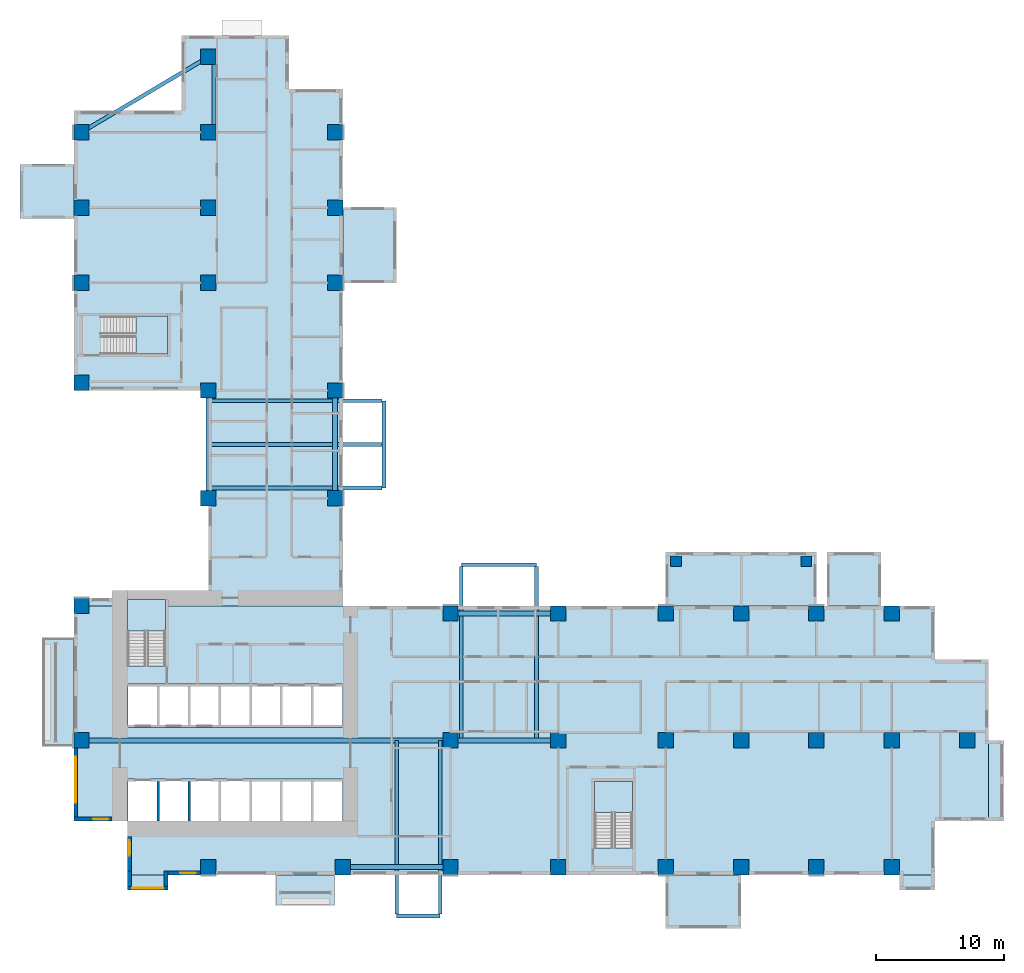
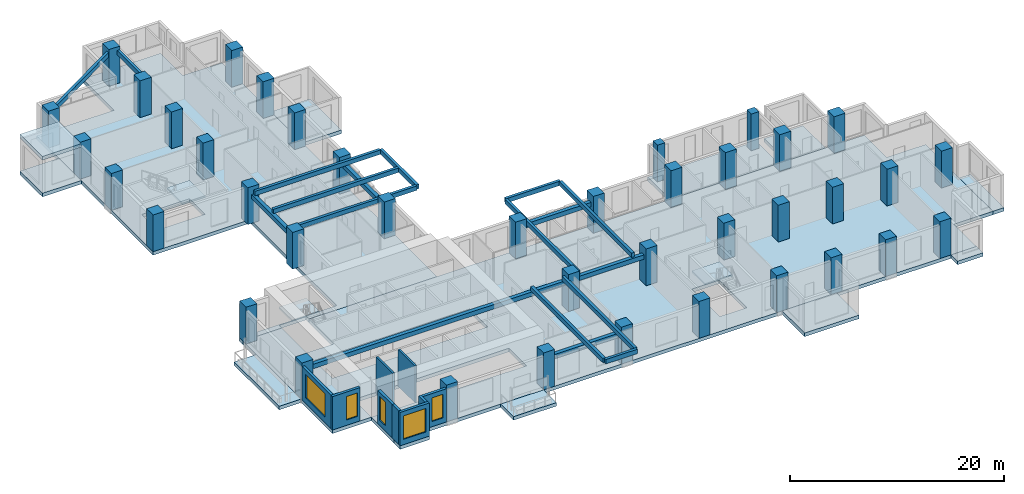
# One storey, part 1 of 15: 40 columns, 16 beams, 16 slabs, 9 walls, 5 windows, 2 members, 5 openings, 3 elements without a shape of their own.
"""IFC4 building model written with IfcOpenShell, lengths in metres."""

from ifc_helpers import new_model, si_unit, direction, frame, frame_2d, origin, origin_2d, place, context, subcontext, project, spatial, polyline, rectangle, outline, extrude, source, transform, mapped, material, layer, layer_set, material_profile, profile_set, type_object, element, fill, aggregate, save


model = new_model("IFC4")

# Units and contexts
model_context = context("Model", 3, precision=1e-05, world=origin(), true_north=direction((0.0, 1.0)))
body_context = subcontext(model_context, "Body", "Model", "MODEL_VIEW")
ifc_project = project(units=[si_unit("LENGTHUNIT", "METRE"), si_unit("AREAUNIT", "SQUARE_METRE"), si_unit("VOLUMEUNIT", "CUBIC_METRE"), si_unit("PLANEANGLEUNIT", "RADIAN"), si_unit("MASSUNIT", "GRAM", prefix="KILO")], contexts=[model_context])

# Site, building, storey
site_placement = place(None, origin())
site = spatial("IfcSite", under=ifc_project, at=site_placement, CompositionType="ELEMENT")
building_placement = place(site_placement, origin())
building = spatial("IfcBuilding", under=site, at=building_placement, Name="Aurelian Terraces", CompositionType="ELEMENT")
storey_placement = place(building_placement, frame((0.0, 0.0, 74.1)))
storey = spatial("IfcBuildingStorey", under=building, at=storey_placement, Name="L15", CompositionType="ELEMENT", Elevation=74.1)

# Columns
ifc_material_1 = material(Name="Concrete fc' 83 MPa", Category="concrete")
ifc_material_profile_1 = material_profile(ifc_material_1, rectangle(XDim=1.2, YDim=1.2, at=origin_2d()))
ifc_profile_set_1 = profile_set([ifc_material_profile_1], Name="Concrete fc' 83 MPa")
column_type_1 = type_object("IfcColumnType", Name="RC COLUMN 1200X1200 FC83", PredefinedType="COLUMN", material=ifc_profile_set_1)
shared_shape_1 = source(origin(), body_context, "Body", "SweptSolid", [
    extrude(rectangle(XDim=1.2, YDim=1.2, at=origin_2d()), origin(), (0.0, 0.0, 1.0), 4.2),
])
for number, where, z_axis, x_axis, name in (
    (1, (10.5, 0.6, 0.0), (0.0, 0.0, 1.0), (1.0, 0.0, 0.0), "Column 2/A L15"),
    (2, (21.0, 0.6, 0.0), (0.0, 0.0, 1.0), (1.0, 0.0, 0.0), "Column 3/A L15"),
    (3, (29.4, 0.6, 0.0), (0.0, 0.0, 1.0), (1.0, 0.0, 0.0), "Column 4/A L15"),
    (4, (37.8, 0.6, 0.0), (0.0, 0.0, 1.0), (1.0, 0.0, 0.0), "Column 5/A L15"),
    (5, (46.2, 0.6, 0.0), (0.0, 0.0, 1.0), (1.0, 0.0, 0.0), "Column 6/A L15"),
    (6, (52.08, 0.6, 0.0), (0.0, 0.0, 1.0), (1.0, 0.0, 0.0), "Column 7/A L15"),
    (7, (57.96, 0.6, 0.0), (0.0, 0.0, 1.0), (1.0, 0.0, 0.0), "Column 8/A L15"),
    (8, (63.84, 0.6, 0.0), (0.0, 0.0, 1.0), (1.0, 0.0, 0.0), "Column 9/A L15"),
    (9, (0.6, 10.5, 0.0), (0.0, 0.0, 1.0), (1.0, 0.0, 0.0), "Column 1/B L15"),
    (10, (29.4, 10.5, 0.0), (0.0, 0.0, 1.0), (1.0, 0.0, 0.0), "Column 4/B L15"),
    (11, (37.8, 10.5, 0.0), (0.0, 0.0, 1.0), (1.0, 0.0, 0.0), "Column 5/B L15"),
    (12, (46.2, 10.5, 0.0), (0.0, 0.0, 1.0), (1.0, 0.0, 0.0), "Column 6/B L15"),
    (13, (52.08, 10.5, 0.0), (0.0, 0.0, 1.0), (1.0, 0.0, 0.0), "Column 7/B L15"),
    (14, (57.96, 10.5, 0.0), (0.0, 0.0, 1.0), (1.0, 0.0, 0.0), "Column 8/B L15"),
    (15, (63.84, 10.5, 0.0), (0.0, 0.0, 1.0), (1.0, 0.0, 0.0), "Column 9/B L15"),
    (16, (69.72, 10.5, 0.0), (0.0, 0.0, 1.0), (1.0, 0.0, 0.0), "Column 10/B L15"),
    (17, (0.6, 21.0, 0.0), (0.0, 0.0, 1.0), (1.0, 0.0, 0.0), "Column 1/C L15"),
    (18, (29.4, 20.4, 0.0), (0.0, 0.0, 1.0), (1.0, 0.0, 0.0), "Column 4/C L15"),
    (19, (37.8, 20.4, 0.0), (0.0, 0.0, 1.0), (1.0, 0.0, 0.0), "Column 5/C L15"),
    (20, (46.2, 20.4, 0.0), (0.0, 0.0, 1.0), (1.0, 0.0, 0.0), "Column 6/C L15"),
    (21, (52.08, 20.4, 0.0), (0.0, 0.0, 1.0), (1.0, 0.0, 0.0), "Column 7/C L15"),
    (22, (57.96, 20.4, 0.0), (0.0, 0.0, 1.0), (1.0, 0.0, 0.0), "Column 8/C L15"),
    (23, (63.84, 20.4, 0.0), (0.0, 0.0, 1.0), (1.0, 0.0, 0.0), "Column 9/C L15"),
    (24, (10.5, 29.4, 0.0), (0.0, 0.0, 1.0), (1.0, 0.0, 0.0), "Column 2/D L15"),
    (25, (20.4, 29.4, 0.0), (0.0, 0.0, 1.0), (1.0, 0.0, 0.0), "Column 3/D L15"),
    (26, (0.6, 38.4, 0.0), (0.0, 0.0, 1.0), (1.0, 0.0, 0.0), "Column 1/E L15"),
    (27, (10.5, 37.8, 0.0), (0.0, 0.0, 1.0), (1.0, 0.0, 0.0), "Column 2/E L15"),
    (28, (20.4, 37.8, 0.0), (0.0, 0.0, 1.0), (1.0, 0.0, 0.0), "Column 3/E L15"),
    (29, (0.6, 46.2, 0.0), (0.0, 0.0, 1.0), (1.0, 0.0, 0.0), "Column 1/F L15"),
    (30, (10.5, 46.2, 0.0), (0.0, 0.0, 1.0), (1.0, 0.0, 0.0), "Column 2/F L15"),
    (31, (20.4, 46.2, 0.0), (0.0, 0.0, 1.0), (1.0, 0.0, 0.0), "Column 3/F L15"),
    (32, (0.6, 52.08, 0.0), (0.0, 0.0, 1.0), (1.0, 0.0, 0.0), "Column 1/G L15"),
    (33, (10.5, 52.08, 0.0), (0.0, 0.0, 1.0), (1.0, 0.0, 0.0), "Column 2/G L15"),
    (34, (20.4, 52.08, 0.0), (0.0, 0.0, 1.0), (1.0, 0.0, 0.0), "Column 3/G L15"),
    (35, (0.6, 57.96, 0.0), (0.0, 0.0, 1.0), (1.0, 0.0, 0.0), "Column 1/H L15"),
    (36, (10.5, 57.96, 0.0), (0.0, 0.0, 1.0), (1.0, 0.0, 0.0), "Column 2/H L15"),
    (37, (20.4, 57.96, 0.0), (0.0, 0.0, 1.0), (1.0, 0.0, 0.0), "Column 3/H L15"),
    (38, (10.5, 63.84, 0.0), (0.0, 0.0, 1.0), (1.0, 0.0, 0.0), "Column 2/I L15"),
):
    element("IfcColumn", number, at=place(storey_placement, frame(where, z_axis=z_axis, x_axis=x_axis)), inside=storey, type_object=column_type_1, Name=name, PredefinedType="COLUMN", context=body_context, shape_type="MappedRepresentation", body=[
        mapped(shared_shape_1, transform((0.0, 0.0, 0.0), scale=1.0)),
    ])
ifc_material_2 = material(Name="Concrete fc' 55 MPa", Category="concrete")
ifc_material_profile_2 = material_profile(ifc_material_2, rectangle(XDim=0.84, YDim=0.84, at=origin_2d()))
ifc_profile_set_2 = profile_set([ifc_material_profile_2], Name="Concrete fc' 55 MPa")
column_type_2 = type_object("IfcColumnType", Name="BLOCK CORNER PIER 840X840", PredefinedType="COLUMN", material=ifc_profile_set_2)
shared_shape_2 = source(origin(), body_context, "Body", "SweptSolid", [
    extrude(rectangle(XDim=0.84, YDim=0.84, at=origin_2d()), origin(), (0.0, 0.0, 1.0), 4.2),
])
for number, where, z_axis, x_axis, name in (
    (39, (47.0, 24.48, 0.0), (0.0, 0.0, 1.0), (1.0, 0.0, 0.0), "Block pier K01.1 L15"),
    (40, (57.16, 24.48, 0.0), (0.0, 0.0, 1.0), (1.0, 0.0, 0.0), "Block pier K01.2 L15"),
):
    element("IfcColumn", number, at=place(storey_placement, frame(where, z_axis=z_axis, x_axis=x_axis)), inside=storey, type_object=column_type_2, Name=name, PredefinedType="COLUMN", context=body_context, shape_type="MappedRepresentation", body=[
        mapped(shared_shape_2, transform((0.0, 0.0, 0.0), scale=1.0)),
    ])

# Members
ifc_material_3 = material(Name="Concrete fc' 40 MPa", Category="concrete")
ifc_material_profile_3 = material_profile(ifc_material_3, rectangle(XDim=0.3, YDim=0.5, at=origin_2d()))
ifc_profile_set_3 = profile_set([ifc_material_profile_3], Name="Concrete fc' 40 MPa")
member_type = type_object("IfcMemberType", Name="CONCRETE EDGE BEAM 300X500", PredefinedType="MEMBER", material=ifc_profile_set_3)
member_1_placement = place(storey_placement, frame((10.95, 63.24, 3.55), z_axis=(0.0, -1.0, 0.0), x_axis=(1.0, 0.0, 0.0)))
element("IfcMember", 41, at=member_1_placement, inside=storey, type_object=member_type, Name="Terrace edge member L16-X1", PredefinedType="MEMBER", context=body_context, shape_type="SweptSolid", body=[
    extrude(rectangle(XDim=0.3, YDim=0.5, at=origin_2d()), origin(), (0.0, 0.0, 1.0), 4.68),
])
member_2_placement = place(storey_placement, frame((9.9841, 63.5336, 3.55), z_axis=(-0.859782116287, -0.510661054431, 0.0), x_axis=(0.510661054431, -0.859782116287, 0.0)))
element("IfcMember", 42, at=member_2_placement, inside=storey, type_object=member_type, Name="Terrace edge member L16-X1.2", PredefinedType="MEMBER", context=body_context, shape_type="SweptSolid", body=[
    extrude(rectangle(XDim=0.3, YDim=0.5, at=origin_2d()), origin(), (0.0, 0.0, 1.0), 10.3145),
])

# Beams
ifc_material_profile_4 = material_profile(ifc_material_3, rectangle(XDim=0.3, YDim=0.5, at=origin_2d()))
ifc_profile_set_4 = profile_set([ifc_material_profile_4], Name="Concrete fc' 40 MPa")
beam_type_1 = type_object("IfcBeamType", Name="CONCRETE CANTILEVER BEAM 300X500", PredefinedType="BEAM", material=ifc_profile_set_4)
shared_shape_3 = source(origin(), body_context, "Body", "SweptSolid", [
    extrude(rectangle(XDim=0.3, YDim=0.5, at=origin_2d()), origin(), (0.0, 0.0, 1.0), 13.55),
])
for number, where, z_axis, x_axis, name in (
    (43, (25.2, -3.05, 3.55), (0.0, 1.0, 0.0), (-1.0, 0.0, 0.0), "Box cantilever beam J19.1"),
    (44, (28.6, -3.05, 3.55), (0.0, 1.0, 0.0), (-1.0, 0.0, 0.0), "Box cantilever beam J19.2"),
    (45, (30.24, 24.05, 3.55), (0.0, -1.0, 0.0), (1.0, 0.0, 0.0), "Box cantilever beam J20.1"),
    (46, (36.12, 24.05, 3.55), (0.0, -1.0, 0.0), (1.0, 0.0, 0.0), "Box cantilever beam J20.2"),
    (47, (24.05, 30.2, 3.55), (-1.0, 0.0, 0.0), (0.0, -1.0, 0.0), "Box cantilever beam J21.1"),
    (48, (24.05, 37.0, 3.55), (-1.0, 0.0, 0.0), (0.0, -1.0, 0.0), "Box cantilever beam J21.2"),
    (49, (24.05, 33.6, 3.55), (-1.0, 0.0, 0.0), (0.0, -1.0, 0.0), "Box cantilever beam J21.m1"),
):
    element("IfcBeam", number, at=place(storey_placement, frame(where, z_axis=z_axis, x_axis=x_axis)), inside=storey, type_object=beam_type_1, Name=name, PredefinedType="BEAM", context=body_context, shape_type="MappedRepresentation", body=[
        mapped(shared_shape_3, transform((0.0, 0.0, 0.0), scale=1.0)),
    ])
ifc_material_profile_5 = material_profile(ifc_material_3, rectangle(XDim=0.4, YDim=0.5, at=origin_2d()))
ifc_profile_set_5 = profile_set([ifc_material_profile_5], Name="Concrete fc' 40 MPa")
beam_type_2 = type_object("IfcBeamType", Name="CONCRETE EDGE GIRDER 400X500", PredefinedType="BEAM", material=ifc_profile_set_5)
shared_shape_4 = source(origin(), body_context, "Body", "SweptSolid", [
    extrude(rectangle(XDim=0.4, YDim=0.5, at=origin_2d()), origin(), (0.0, 0.0, 1.0), 7.2),
])
for number, where, z_axis, x_axis, name in (
    (50, (21.6, 0.6, 3.05), (1.0, 0.0, 0.0), (0.0, 1.0, 0.0), "Box girder L15 O41"),
    (51, (30.0, 20.4, 3.05), (1.0, 0.0, 0.0), (0.0, 1.0, 0.0), "Box girder L15 O43"),
    (52, (30.0, 10.5, 3.05), (1.0, 0.0, 0.0), (0.0, 1.0, 0.0), "Box girder L15 I44"),
    (53, (20.4, 30.0, 3.05), (0.0, 1.0, 0.0), (-1.0, 0.0, 0.0), "Box girder L15 O45"),
    (54, (10.5, 30.0, 3.05), (0.0, 1.0, 0.0), (-1.0, 0.0, 0.0), "Box girder L15 I46"),
):
    element("IfcBeam", number, at=place(storey_placement, frame(where, z_axis=z_axis, x_axis=x_axis)), inside=storey, type_object=beam_type_2, Name=name, PredefinedType="BEAM", context=body_context, shape_type="MappedRepresentation", body=[
        mapped(shared_shape_4, transform((0.0, 0.0, 0.0), scale=1.0)),
    ])
shared_shape_5 = source(origin(), body_context, "Body", "SweptSolid", [
    extrude(rectangle(XDim=0.4, YDim=0.5, at=origin_2d()), origin(), (0.0, 0.0, 1.0), 27.6),
])
beam_1_placement = place(storey_placement, frame((1.2, 10.5, 3.05), z_axis=(1.0, 0.0, 0.0), x_axis=(0.0, 1.0, 0.0)))
element("IfcBeam", 55, at=beam_1_placement, inside=storey, type_object=beam_type_2, Name="Box girder L15 I42", PredefinedType="BEAM", context=body_context, shape_type="MappedRepresentation", body=[
    mapped(shared_shape_5, transform((0.0, 0.0, 0.0), scale=1.0)),
])
shared_shape_6 = source(origin(), body_context, "Body", "SweptSolid", [
    extrude(rectangle(XDim=0.3, YDim=0.5, at=origin_2d()), origin(), (0.0, 0.0, 1.0), 3.4),
])
beam_2_placement = place(storey_placement, frame((25.2, -3.2, 3.55), z_axis=(1.0, 0.0, 0.0), x_axis=(0.0, 1.0, 0.0)))
element("IfcBeam", 56, at=beam_2_placement, inside=storey, type_object=beam_type_1, Name="Box tip beam J19", PredefinedType="BEAM", context=body_context, shape_type="MappedRepresentation", body=[
    mapped(shared_shape_6, transform((0.0, 0.0, 0.0), scale=1.0)),
])
shared_shape_7 = source(origin(), body_context, "Body", "SweptSolid", [
    extrude(rectangle(XDim=0.3, YDim=0.5, at=origin_2d()), origin(), (0.0, 0.0, 1.0), 5.88),
])
beam_3_placement = place(storey_placement, frame((30.24, 24.2, 3.55), z_axis=(1.0, 0.0, 0.0), x_axis=(0.0, 1.0, 0.0)))
element("IfcBeam", 57, at=beam_3_placement, inside=storey, type_object=beam_type_1, Name="Box tip beam J20", PredefinedType="BEAM", context=body_context, shape_type="MappedRepresentation", body=[
    mapped(shared_shape_7, transform((0.0, 0.0, 0.0), scale=1.0)),
])
shared_shape_8 = source(origin(), body_context, "Body", "SweptSolid", [
    extrude(rectangle(XDim=0.3, YDim=0.5, at=origin_2d()), origin(), (0.0, 0.0, 1.0), 6.8),
])
beam_4_placement = place(storey_placement, frame((24.2, 30.2, 3.55), z_axis=(0.0, 1.0, 0.0), x_axis=(-1.0, 0.0, 0.0)))
element("IfcBeam", 58, at=beam_4_placement, inside=storey, type_object=beam_type_1, Name="Box tip beam J21", PredefinedType="BEAM", context=body_context, shape_type="MappedRepresentation", body=[
    mapped(shared_shape_8, transform((0.0, 0.0, 0.0), scale=1.0)),
])

# Slabs
ifc_layer_1 = layer(ifc_material_3, 0.4)
ifc_layer_set_1 = layer_set([ifc_layer_1], Name="Balcony slab 400")
slab_type_1 = type_object("IfcSlabType", Name="Balcony slab 400", PredefinedType="NOTDEFINED", material=ifc_layer_set_1)
slab_1_placement = place(storey_placement, frame((0.0, 0.0, -0.4)))
element("IfcSlab", 59, at=slab_1_placement, inside=storey, type_object=slab_type_1, Name="Balcony slab L15 F18.39", PredefinedType="NOTDEFINED", context=body_context, shape_type="SweptSolid", body=[
    extrude(outline(polyline([(0.0, 18.45), (0.0, 10.05), (-2.4, 10.05), (-2.4, 18.45), (0.0, 18.45)])), origin(), (0.0, 0.0, 1.0), 0.4),
])
ifc_layer_2 = layer(ifc_material_3, 0.41)
ifc_layer_set_2 = layer_set([ifc_layer_2], Name="Box floor 410")
slab_type_2 = type_object("IfcSlabType", Name="Box floor 410", PredefinedType="NOTDEFINED", material=ifc_layer_set_2)
slab_2_placement = place(storey_placement, frame((0.0, 0.0, -0.41)))
element("IfcSlab", 60, at=slab_2_placement, inside=storey, type_object=slab_type_2, Name="Box floor L15 J17", PredefinedType="NOTDEFINED", context=body_context, shape_type="SweptSolid", body=[
    extrude(outline(polyline([(63.0, 25.2), (58.8, 25.2), (58.8, 21.0), (63.0, 21.0), (63.0, 25.2)])), origin(), (0.0, 0.0, 1.0), 0.41),
])
ifc_layer_3 = layer(ifc_material_3, 0.4)
ifc_layer_set_3 = layer_set([ifc_layer_3], Name="Box roof 400")
slab_type_3 = type_object("IfcSlabType", Name="Box roof 400", PredefinedType="ROOF", material=ifc_layer_set_3)
slab_3_placement = place(storey_placement, frame((0.0, 0.0, 3.8)))
element("IfcSlab", 61, at=slab_3_placement, inside=storey, type_object=slab_type_3, Name="Box roof J15", PredefinedType="ROOF", context=body_context, shape_type="SweptSolid", body=[
    extrude(outline(polyline([(-4.2, 55.44), (-4.2, 51.24), (0.0, 51.24), (0.0, 55.44), (-4.2, 55.44)])), origin(), (0.0, 0.0, 1.0), 0.4),
])
ifc_layer_4 = layer(ifc_material_3, 0.4)
ifc_layer_set_4 = layer_set([ifc_layer_4], Name="PT FLAT PLATE 400")
slab_type_4 = type_object("IfcSlabType", Name="PT FLAT PLATE 400", PredefinedType="FLOOR", material=ifc_layer_set_4)
shared_shape_9 = source(origin(), body_context, "Body", "SweptSolid", [
    extrude(outline(polyline([(71.4, 16.8), (71.4, 4.2), (67.2, 4.2), (67.2, 0.0), (21.0, 0.0), (4.2, 0.0), (4.2, 4.2), (0.0, 4.2), (0.0, 21.0), (4.21, 21.0), (4.21, 16.31), (7.14, 16.31), (7.14, 21.0), (21.0, 21.0), (67.2, 21.0), (67.2, 16.8), (71.4, 16.8)]), holes=[polyline([(40.66, 2.11), (43.59, 2.11), (43.59, 7.29), (40.66, 7.29), (40.66, 2.11)]), polyline([(4.21, 7.49), (4.21, 4.21), (20.99, 4.21), (20.99, 7.49), (4.21, 7.49)]), polyline([(4.21, 14.89), (4.21, 11.51), (20.99, 11.51), (20.99, 14.89), (4.21, 14.89)])]), origin(), (0.0, 0.0, 1.0), 0.4),
])
slab_4_placement = place(storey_placement, frame((0.0, 0.0, -0.4)))
element("IfcSlab", 62, at=slab_4_placement, inside=storey, type_object=slab_type_4, Name="Floor slab S L15", PredefinedType="FLOOR", context=body_context, shape_type="MappedRepresentation", body=[
    mapped(shared_shape_9, transform((0.0, 0.0, 0.0), scale=1.0)),
])
shared_shape_10 = source(origin(), body_context, "Body", "SweptSolid", [
    extrude(outline(polyline([(10.5, 21.6), (10.5, 37.8), (0.0, 37.8), (0.0, 59.64), (8.4, 59.64), (8.4, 65.52), (16.8, 65.52), (16.8, 61.32), (21.0, 61.32), (21.0, 21.0), (7.14, 21.0), (7.14, 21.49), (4.21, 21.49), (4.21, 21.0), (0.0, 21.0), (0.0, 21.6), (10.5, 21.6)]), holes=[polyline([(7.29, 43.59), (2.11, 43.59), (2.11, 40.66), (7.29, 40.66), (7.29, 43.59)])]), origin(), (0.0, 0.0, 1.0), 0.4),
])
slab_5_placement = place(storey_placement, frame((0.0, 0.0, -0.4)))
element("IfcSlab", 63, at=slab_5_placement, inside=storey, type_object=slab_type_4, Name="Floor slab W L15", PredefinedType="FLOOR", context=body_context, shape_type="MappedRepresentation", body=[
    mapped(shared_shape_10, transform((0.0, 0.0, 0.0), scale=1.0)),
])
shared_shape_11 = source(origin(), body_context, "Body", "SweptSolid", [
    extrude(outline(polyline([(46.2, -4.2), (52.08, -4.2), (52.08, 0.0), (46.2, 0.0), (46.2, -4.2)])), origin(), (0.0, 0.0, 1.0), 0.41),
])
slab_6_placement = place(storey_placement, frame((0.0, 0.0, -0.41)))
element("IfcSlab", 64, at=slab_6_placement, inside=storey, type_object=slab_type_2, Name="Box floor L15 J16", PredefinedType="NOTDEFINED", context=body_context, shape_type="MappedRepresentation", body=[
    mapped(shared_shape_11, transform((0.0, 0.0, 0.0), scale=1.0)),
])
shared_shape_12 = source(origin(), body_context, "Body", "SweptSolid", [
    extrude(outline(polyline([(25.2, 46.2), (25.2, 52.08), (21.0, 52.08), (21.0, 46.2), (25.2, 46.2)])), origin(), (0.0, 0.0, 1.0), 0.41),
])
slab_7_placement = place(storey_placement, frame((0.0, 0.0, -0.41)))
element("IfcSlab", 65, at=slab_7_placement, inside=storey, type_object=slab_type_2, Name="Box floor L15 J18", PredefinedType="NOTDEFINED", context=body_context, shape_type="MappedRepresentation", body=[
    mapped(shared_shape_12, transform((0.0, 0.0, 0.0), scale=1.0)),
])
shared_shape_13 = source(origin(), body_context, "Body", "SweptSolid", [
    extrude(outline(polyline([(57.96, 25.2), (46.2, 25.2), (46.2, 21.0), (57.96, 21.0), (57.96, 25.2)])), origin(), (0.0, 0.0, 1.0), 0.41),
])
slab_8_placement = place(storey_placement, frame((0.0, 0.0, -0.41)))
element("IfcSlab", 66, at=slab_8_placement, inside=storey, type_object=slab_type_2, Name="Box floor L15 K01", PredefinedType="NOTDEFINED", context=body_context, shape_type="MappedRepresentation", body=[
    mapped(shared_shape_13, transform((0.0, 0.0, 0.0), scale=1.0)),
])
ifc_layer_5 = layer(ifc_material_3, 0.4)
ifc_layer_set_5 = layer_set([ifc_layer_5], Name="Bay floor 400")
slab_type_5 = type_object("IfcSlabType", Name="Bay floor 400", PredefinedType="NOTDEFINED", material=ifc_layer_set_5)
shared_shape_14 = source(origin(), body_context, "Body", "SweptSolid", [
    extrude(outline(polyline([(4.2, 0.0), (7.35, 0.0), (7.35, -1.2), (4.2, -1.2), (4.2, 0.0)])), origin(), (0.0, 0.0, 1.0), 0.4),
])
slab_9_placement = place(storey_placement, frame((0.0, 0.0, -0.4)))
element("IfcSlab", 67, at=slab_9_placement, inside=storey, type_object=slab_type_5, Name="Bay floor L15 F01.1", PredefinedType="NOTDEFINED", context=body_context, shape_type="MappedRepresentation", body=[
    mapped(shared_shape_14, transform((0.0, 0.0, 0.0), scale=1.0)),
])
shared_shape_15 = source(origin(), body_context, "Body", "SweptSolid", [
    extrude(outline(polyline([(64.44, 0.0), (67.2, 0.0), (67.2, -1.2), (64.44, -1.2), (64.44, 0.0)])), origin(), (0.0, 0.0, 1.0), 0.4),
])
slab_10_placement = place(storey_placement, frame((0.0, 0.0, -0.4)))
element("IfcSlab", 68, at=slab_10_placement, inside=storey, type_object=slab_type_5, Name="Bay floor L15 F01.11", PredefinedType="NOTDEFINED", context=body_context, shape_type="MappedRepresentation", body=[
    mapped(shared_shape_15, transform((0.0, 0.0, 0.0), scale=1.0)),
])
shared_shape_16 = source(origin(), body_context, "Body", "SweptSolid", [
    extrude(outline(polyline([(71.4, 4.2), (71.4, 10.5), (72.6, 10.5), (72.6, 4.2), (71.4, 4.2)])), origin(), (0.0, 0.0, 1.0), 0.4),
])
slab_11_placement = place(storey_placement, frame((0.0, 0.0, -0.4)))
element("IfcSlab", 69, at=slab_11_placement, inside=storey, type_object=slab_type_5, Name="Bay floor L15 F04.15", PredefinedType="NOTDEFINED", context=body_context, shape_type="MappedRepresentation", body=[
    mapped(shared_shape_16, transform((0.0, 0.0, 0.0), scale=1.0)),
])
shared_shape_17 = source(origin(), body_context, "Body", "SweptSolid", [
    extrude(outline(polyline([(15.75, 0.0), (20.4, 0.0), (20.4, -2.4), (15.75, -2.4), (15.75, 0.0)])), origin(), (0.0, 0.0, 1.0), 0.4),
])
slab_12_placement = place(storey_placement, frame((0.0, 0.0, -0.4)))
element("IfcSlab", 70, at=slab_12_placement, inside=storey, type_object=slab_type_1, Name="Balcony slab L15 F01.4", PredefinedType="NOTDEFINED", context=body_context, shape_type="MappedRepresentation", body=[
    mapped(shared_shape_17, transform((0.0, 0.0, 0.0), scale=1.0)),
])
shared_shape_18 = source(origin(), body_context, "Body", "SweptSolid", [
    extrude(outline(polyline([(-4.2, 55.44), (-4.2, 51.24), (0.0, 51.24), (0.0, 55.44), (-4.2, 55.44)])), origin(), (0.0, 0.0, 1.0), 0.41),
])
slab_13_placement = place(storey_placement, frame((0.0, 0.0, -0.41)))
element("IfcSlab", 71, at=slab_13_placement, inside=storey, type_object=slab_type_2, Name="Box floor L15 J15", PredefinedType="NOTDEFINED", context=body_context, shape_type="MappedRepresentation", body=[
    mapped(shared_shape_18, transform((0.0, 0.0, 0.0), scale=1.0)),
])

# Stair, slab
stair_type = type_object("IfcStairType", Name="Stair 1400", PredefinedType="HALF_TURN_STAIR", material=ifc_material_3)
stair_1_placement = place(storey_placement, origin())
stair_1 = element("IfcStair", 72, at=stair_1_placement, inside=storey, type_object=stair_type, Name="L15 S1", PredefinedType="HALF_TURN_STAIR")
ifc_layer_6 = layer(ifc_material_3, 0.2)
ifc_layer_set_6 = layer_set([ifc_layer_6], Name="Stair landing 200")
slab_type_6 = type_object("IfcSlabType", Name="Stair landing 200", PredefinedType="LANDING", material=ifc_layer_set_6)
shared_shape_19 = source(origin(), body_context, "Body", "SweptSolid", [
    extrude(outline(polyline([(7.15, 19.05), (7.15, 21.5), (4.2, 21.5), (4.2, 19.05), (7.15, 19.05)])), origin(), (0.0, 0.0, 1.0), 0.2),
])
slab_14_placement = place(storey_placement, frame((0.0, 0.0, 1.9)))
slab_14 = element("IfcSlab", 73, at=slab_14_placement, type_object=slab_type_6, Name="S1 landing 1", PredefinedType="LANDING", context=body_context, shape_type="MappedRepresentation", body=[
    mapped(shared_shape_19, transform((0.0, 0.0, 0.0), scale=1.0)),
])
aggregate(stair_1, [slab_14])

stair_2_placement = place(storey_placement, origin())
stair_2 = element("IfcStair", 74, at=stair_2_placement, inside=storey, type_object=stair_type, Name="L15 S2", PredefinedType="HALF_TURN_STAIR")
shared_shape_20 = source(origin(), body_context, "Body", "SweptSolid", [
    extrude(outline(polyline([(43.6, 4.85), (43.6, 7.3), (40.65, 7.3), (40.65, 4.85), (43.6, 4.85)])), origin(), (0.0, 0.0, 1.0), 0.2),
])
slab_15_placement = place(storey_placement, frame((0.0, 0.0, 1.9)))
slab_15 = element("IfcSlab", 75, at=slab_15_placement, type_object=slab_type_6, Name="S2 landing 1", PredefinedType="LANDING", context=body_context, shape_type="MappedRepresentation", body=[
    mapped(shared_shape_20, transform((0.0, 0.0, 0.0), scale=1.0)),
])
aggregate(stair_2, [slab_15])

stair_3_placement = place(storey_placement, origin())
stair_3 = element("IfcStair", 76, at=stair_3_placement, inside=storey, type_object=stair_type, Name="L15 S3", PredefinedType="HALF_TURN_STAIR")
shared_shape_21 = source(origin(), body_context, "Body", "SweptSolid", [
    extrude(outline(polyline([(4.85, 40.65), (7.3, 40.65), (7.3, 43.6), (4.85, 43.6), (4.85, 40.65)])), origin(), (0.0, 0.0, 1.0), 0.2),
])
slab_16_placement = place(storey_placement, frame((0.0, 0.0, 1.9)))
slab_16 = element("IfcSlab", 77, at=slab_16_placement, type_object=slab_type_6, Name="S3 landing 1", PredefinedType="LANDING", context=body_context, shape_type="MappedRepresentation", body=[
    mapped(shared_shape_21, transform((0.0, 0.0, 0.0), scale=1.0)),
])
aggregate(stair_3, [slab_16])

# Wall, opening, window
ifc_material_4 = material(Name="Terracotta rainscreen cladding", Category="masonry")
ifc_layer_7 = layer(ifc_material_4, 0.3)
ifc_layer_set_7 = layer_set([ifc_layer_7], Name="EW-300")
wall_type_1 = type_object("IfcWallType", Name="EW-300", PredefinedType="STANDARD", material=ifc_layer_set_7)
wall_1_placement = place(storey_placement, frame((0.15, 9.9, 0.0), z_axis=(0.0, 0.0, 1.0), x_axis=(0.0, -1.0, 0.0)))
wall_1 = element("IfcWall", 78, at=wall_1_placement, inside=storey, type_object=wall_type_1, Name="External wall L15 F18.40", PredefinedType="STANDARD", context=body_context, shape_type="SweptSolid", body=[
    extrude(rectangle(XDim=5.7, YDim=0.3, at=frame_2d((2.85, 0.0))), origin(), (0.0, 0.0, 1.0), 3.8),
])
shared_shape_22 = source(origin(), body_context, "Body", "SweptSolid", [
    extrude(rectangle(XDim=3.6, YDim=2.7, at=frame_2d((1.8, 1.35))), frame((0.0, 0.16, 0.0), z_axis=(0.0, -1.0, 0.0), x_axis=(1.0, 0.0, 0.0)), (0.0, 0.0, 1.0), 0.32),
])
opening_1_placement = place(wall_1_placement, frame((0.675, 0.0, 0.6)))
opening_1 = element("IfcOpeningElement", 79, at=opening_1_placement, cuts=wall_1, Name="Opening W3627", PredefinedType="OPENING", context=body_context, shape_type="MappedRepresentation", body=[
    mapped(shared_shape_22, transform((0.0, 0.0, 0.0), scale=1.0)),
])
ifc_material_5 = material(Name="Clear glazing", Category="glass")
window_type_1 = type_object("IfcWindowType", Name="W-3600x2700", PartitioningType="SINGLE_PANEL", PredefinedType="WINDOW", material=ifc_material_5)
shared_shape_23 = source(origin(), body_context, "Body", "SweptSolid", [
    extrude(rectangle(XDim=3.6, YDim=2.7, at=frame_2d((1.8, 1.35))), frame((0.0, 0.03, 0.0), z_axis=(0.0, -1.0, 0.0), x_axis=(1.0, 0.0, 0.0)), (0.0, 0.0, 1.0), 0.06),
])
window_1_placement = place(opening_1_placement, origin())
window_1 = element("IfcWindow", 80, at=window_1_placement, inside=storey, type_object=window_type_1, Name="Window L15 L15-F18-40-0", OverallHeight=2.7, OverallWidth=3.6, PartitioningType="SINGLE_PANEL", PredefinedType="WINDOW", context=body_context, shape_type="MappedRepresentation", body=[
    mapped(shared_shape_23, transform((0.0, 0.0, 0.0), scale=1.0)),
])
fill(opening_1, window_1)

shared_shape_24 = source(origin(), body_context, "Body", "SweptSolid", [
    extrude(rectangle(XDim=3.15, YDim=0.3, at=frame_2d((1.575, 0.0))), origin(), (0.0, 0.0, 1.0), 3.8),
])
wall_2_placement = place(storey_placement, frame((4.2, -1.05, 0.0), z_axis=(0.0, 0.0, 1.0), x_axis=(1.0, 0.0, 0.0)))
wall_2 = element("IfcWall", 81, at=wall_2_placement, inside=storey, type_object=wall_type_1, Name="Bay wall L15 F01.1", PredefinedType="STANDARD", context=body_context, shape_type="MappedRepresentation", body=[
    mapped(shared_shape_24, transform((0.0, 0.0, 0.0), scale=1.0)),
])
shared_shape_25 = source(origin(), body_context, "Body", "SweptSolid", [
    extrude(rectangle(XDim=2.4, YDim=2.7, at=frame_2d((1.2, 1.35))), frame((0.0, 0.16, 0.0), z_axis=(0.0, -1.0, 0.0), x_axis=(1.0, 0.0, 0.0)), (0.0, 0.0, 1.0), 0.32),
])
opening_2_placement = place(wall_2_placement, frame((0.375, 0.0, 0.6)))
opening_2 = element("IfcOpeningElement", 82, at=opening_2_placement, cuts=wall_2, Name="Opening W2427", PredefinedType="OPENING", context=body_context, shape_type="MappedRepresentation", body=[
    mapped(shared_shape_25, transform((0.0, 0.0, 0.0), scale=1.0)),
])
window_type_2 = type_object("IfcWindowType", Name="W-2400x2700", PartitioningType="SINGLE_PANEL", PredefinedType="WINDOW", material=ifc_material_5)
shared_shape_26 = source(origin(), body_context, "Body", "SweptSolid", [
    extrude(rectangle(XDim=2.4, YDim=2.7, at=frame_2d((1.2, 1.35))), frame((0.0, 0.03, 0.0), z_axis=(0.0, -1.0, 0.0), x_axis=(1.0, 0.0, 0.0)), (0.0, 0.0, 1.0), 0.06),
])
window_2_placement = place(opening_2_placement, origin())
window_2 = element("IfcWindow", 83, at=window_2_placement, inside=storey, type_object=window_type_2, Name="Window L15 L15-F01-01-0", OverallHeight=2.7, OverallWidth=2.4, PartitioningType="SINGLE_PANEL", PredefinedType="WINDOW", context=body_context, shape_type="MappedRepresentation", body=[
    mapped(shared_shape_26, transform((0.0, 0.0, 0.0), scale=1.0)),
])
fill(opening_2, window_2)

# Walls
shared_shape_27 = source(origin(), body_context, "Body", "SweptSolid", [
    extrude(rectangle(XDim=1.2, YDim=0.3, at=frame_2d((0.6, 0.0))), origin(), (0.0, 0.0, 1.0), 3.8),
])
for number, where, z_axis, x_axis, name in (
    (84, (4.35, 0.3, 0.0), (0.0, 0.0, 1.0), (0.0, -1.0, 0.0), "Bay return L15 F01.1.1"),
    (85, (7.2, 0.3, 0.0), (0.0, 0.0, 1.0), (0.0, -1.0, 0.0), "Bay return L15 F01.1.2"),
):
    element("IfcWall", number, at=place(storey_placement, frame(where, z_axis=z_axis, x_axis=x_axis)), inside=storey, type_object=wall_type_1, Name=name, PredefinedType="STANDARD", context=body_context, shape_type="MappedRepresentation", body=[
        mapped(shared_shape_27, transform((0.0, 0.0, 0.0), scale=1.0)),
    ])

# Wall, opening, window
shared_shape_28 = source(origin(), body_context, "Body", "SweptSolid", [
    extrude(rectangle(XDim=3.0, YDim=0.3, at=frame_2d((1.5, 0.0))), origin(), (0.0, 0.0, 1.0), 3.8),
])
wall_3_placement = place(storey_placement, frame((0.0, 4.35, 0.0), z_axis=(0.0, 0.0, 1.0), x_axis=(1.0, 0.0, 0.0)))
wall_3 = element("IfcWall", 86, at=wall_3_placement, inside=storey, type_object=wall_type_1, Name="External wall L15 F19.41", PredefinedType="STANDARD", context=body_context, shape_type="MappedRepresentation", body=[
    mapped(shared_shape_28, transform((0.0, 0.0, 0.0), scale=1.0)),
])
shared_shape_29 = source(origin(), body_context, "Body", "SweptSolid", [
    extrude(rectangle(XDim=1.2, YDim=2.7, at=frame_2d((0.6, 1.35))), frame((0.0, 0.16, 0.0), z_axis=(0.0, -1.0, 0.0), x_axis=(1.0, 0.0, 0.0)), (0.0, 0.0, 1.0), 0.32),
])
opening_3_placement = place(wall_3_placement, frame((1.5, 0.0, 0.6)))
opening_3 = element("IfcOpeningElement", 87, at=opening_3_placement, cuts=wall_3, Name="Opening W1227", PredefinedType="OPENING", context=body_context, shape_type="MappedRepresentation", body=[
    mapped(shared_shape_29, transform((0.0, 0.0, 0.0), scale=1.0)),
])
window_type_3 = type_object("IfcWindowType", Name="W-1200x2700", PartitioningType="SINGLE_PANEL", PredefinedType="WINDOW", material=ifc_material_5)
shared_shape_30 = source(origin(), body_context, "Body", "SweptSolid", [
    extrude(rectangle(XDim=1.2, YDim=2.7, at=frame_2d((0.6, 1.35))), frame((0.0, 0.03, 0.0), z_axis=(0.0, -1.0, 0.0), x_axis=(1.0, 0.0, 0.0)), (0.0, 0.0, 1.0), 0.06),
])
window_3_placement = place(opening_3_placement, origin())
window_3 = element("IfcWindow", 88, at=window_3_placement, inside=storey, type_object=window_type_3, Name="Window L15 L15-F19-41-0", OverallHeight=2.7, OverallWidth=1.2, PartitioningType="SINGLE_PANEL", PredefinedType="WINDOW", context=body_context, shape_type="MappedRepresentation", body=[
    mapped(shared_shape_30, transform((0.0, 0.0, 0.0), scale=1.0)),
])
fill(opening_3, window_3)

wall_4_placement = place(storey_placement, frame((4.35, 3.0, 0.0), z_axis=(0.0, 0.0, 1.0), x_axis=(0.0, -1.0, 0.0)))
wall_4 = element("IfcWall", 89, at=wall_4_placement, inside=storey, type_object=wall_type_1, Name="External wall L15 F20.42", PredefinedType="STANDARD", context=body_context, shape_type="MappedRepresentation", body=[
    mapped(shared_shape_28, transform((0.0, 0.0, 0.0), scale=1.0)),
])
opening_4_placement = place(wall_4_placement, frame((0.3, 0.0, 0.6)))
opening_4 = element("IfcOpeningElement", 90, at=opening_4_placement, cuts=wall_4, Name="Opening W1227", PredefinedType="OPENING", context=body_context, shape_type="MappedRepresentation", body=[
    mapped(shared_shape_29, transform((0.0, 0.0, 0.0), scale=1.0)),
])
window_4_placement = place(opening_4_placement, origin())
window_4 = element("IfcWindow", 91, at=window_4_placement, inside=storey, type_object=window_type_3, Name="Window L15 L15-F20-42-0", OverallHeight=2.7, OverallWidth=1.2, PartitioningType="SINGLE_PANEL", PredefinedType="WINDOW", context=body_context, shape_type="MappedRepresentation", body=[
    mapped(shared_shape_30, transform((0.0, 0.0, 0.0), scale=1.0)),
])
fill(opening_4, window_4)

shared_shape_31 = source(origin(), body_context, "Body", "SweptSolid", [
    extrude(rectangle(XDim=2.55, YDim=0.3, at=frame_2d((1.275, 0.0))), origin(), (0.0, 0.0, 1.0), 3.8),
])
wall_5_placement = place(storey_placement, frame((7.35, 0.15, 0.0), z_axis=(0.0, 0.0, 1.0), x_axis=(1.0, 0.0, 0.0)))
wall_5 = element("IfcWall", 92, at=wall_5_placement, inside=storey, type_object=wall_type_1, Name="External wall L15 F01.2", PredefinedType="STANDARD", context=body_context, shape_type="MappedRepresentation", body=[
    mapped(shared_shape_31, transform((0.0, 0.0, 0.0), scale=1.0)),
])
opening_5_placement = place(wall_5_placement, frame((0.975, 0.0, 0.6)))
opening_5 = element("IfcOpeningElement", 93, at=opening_5_placement, cuts=wall_5, Name="Opening W1227", PredefinedType="OPENING", context=body_context, shape_type="MappedRepresentation", body=[
    mapped(shared_shape_29, transform((0.0, 0.0, 0.0), scale=1.0)),
])
window_5_placement = place(opening_5_placement, origin())
window_5 = element("IfcWindow", 94, at=window_5_placement, inside=storey, type_object=window_type_3, Name="Window L15 L15-F01-02-0", OverallHeight=2.7, OverallWidth=1.2, PartitioningType="SINGLE_PANEL", PredefinedType="WINDOW", context=body_context, shape_type="MappedRepresentation", body=[
    mapped(shared_shape_30, transform((0.0, 0.0, 0.0), scale=1.0)),
])
fill(opening_5, window_5)

# Walls
ifc_layer_8 = layer(ifc_material_3, 0.2)
ifc_layer_set_8 = layer_set([ifc_layer_8], Name="Lift shaft wall 200")
wall_type_2 = type_object("IfcWallType", Name="Lift shaft wall 200", PredefinedType="SOLIDWALL", material=ifc_layer_set_8)
shared_shape_32 = source(origin(), body_context, "Body", "SweptSolid", [
    extrude(rectangle(XDim=3.1, YDim=0.2, at=frame_2d((1.55, 0.0))), origin(), (0.0, 0.0, 1.0), 4.2),
])
for number, where, z_axis, x_axis, name in (
    (95, (6.6, 4.2, 0.0), (0.0, 0.0, 1.0), (0.0, 1.0, 0.0), "L15 core wall CD-A1"),
    (96, (9.0, 4.2, 0.0), (0.0, 0.0, 1.0), (0.0, 1.0, 0.0), "L15 core wall CD-A2"),
):
    element("IfcWall", number, at=place(storey_placement, frame(where, z_axis=z_axis, x_axis=x_axis)), inside=storey, type_object=wall_type_2, Name=name, PredefinedType="SOLIDWALL", context=body_context, shape_type="MappedRepresentation", body=[
        mapped(shared_shape_32, transform((0.0, 0.0, 0.0), scale=1.0)),
    ])

save(model, "model.ifc")
